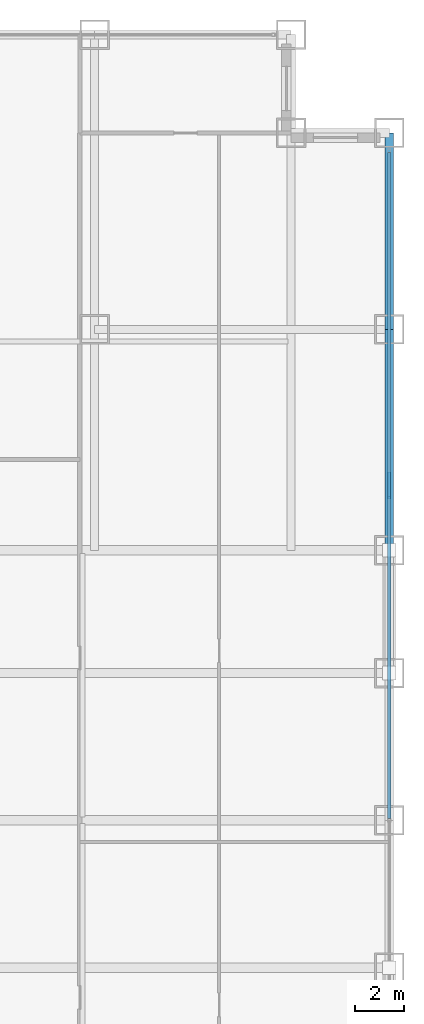
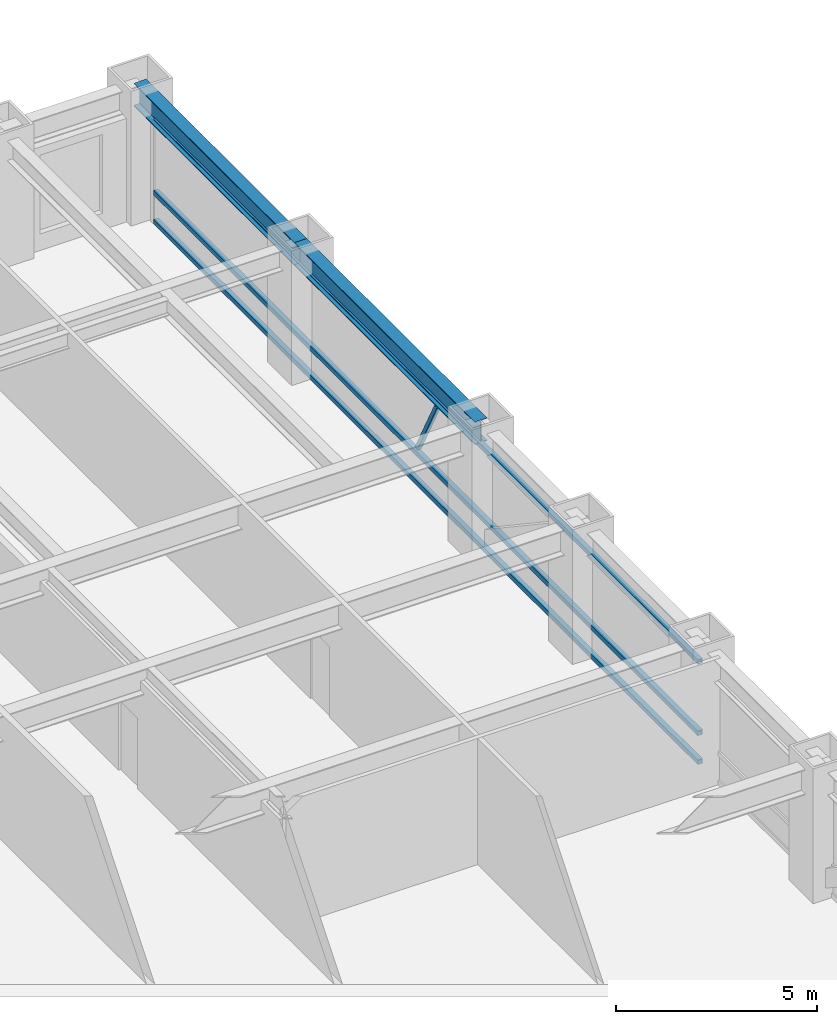
# One storey, part 15 of 28: 4 members, 2 beams, 1 element without a shape of its own.
"""IFC4 building model written with IfcOpenShell, lengths in metres."""

from ifc_helpers import new_model, si_unit, direction, frame, origin, origin_2d, place, context, subcontext, project, spatial, hollow_rectangle, i_section, extrude, source, transform, mapped, material, material_profile, profile_set, type_object, element, aggregate, save


model = new_model("IFC4")

# Units and contexts
model_context = context("Model", 3, precision=1e-05, world=origin(), true_north=direction((0.0, 1.0)))
body_context = subcontext(model_context, "Body", "Model", "MODEL_VIEW")
ifc_project = project(units=[si_unit("LENGTHUNIT", "METRE"), si_unit("AREAUNIT", "SQUARE_METRE"), si_unit("VOLUMEUNIT", "CUBIC_METRE"), si_unit("PLANEANGLEUNIT", "RADIAN"), si_unit("MASSUNIT", "GRAM", prefix="KILO")], contexts=[model_context])

# Site, building, storey
site_placement = place(None, origin())
site = spatial("IfcSite", under=ifc_project, at=site_placement, CompositionType="ELEMENT")
building_placement = place(site_placement, origin())
building = spatial("IfcBuilding", under=site, at=building_placement, Name="Khorayat Bourse Tower", CompositionType="ELEMENT")
storey_placement = place(building_placement, frame((0.0, 0.0, 116.0)))
storey = spatial("IfcBuildingStorey", under=building, at=storey_placement, Name="L26", CompositionType="ELEMENT", Elevation=116.0)

# Beams
ifc_material_1 = material(Name="Steel ASTM A992 Grade 50", Category="steel")
ifc_material_profile_1 = material_profile(ifc_material_1, i_section(OverallWidth=0.35498046875, OverallDepth=0.695068359375, WebThickness=0.015380859375, FlangeThickness=0.02490234375, FilletRadius=0.01806640625, at=origin_2d()), Name="W690X217")
ifc_profile_set_1 = profile_set([ifc_material_profile_1], Name="Steel ASTM A992 Grade 50")
beam_type = type_object("IfcBeamType", Name="BM-SPAN-690", PredefinedType="SPANDREL", material=ifc_profile_set_1)
shared_shape_1 = source(origin(), body_context, "Body", "SweptSolid", [
    extrude(i_section(OverallWidth=0.35498046875, OverallDepth=0.695068359375, WebThickness=0.015380859375, FlangeThickness=0.02490234375, FilletRadius=0.01806640625, at=origin_2d()), origin(), (0.0, 0.0, 1.0), 9.0),
])
beam_1_placement = place(storey_placement, frame((32.0, 11.0, 3.492431640625), z_axis=(0.0, 1.0, 0.0), x_axis=(-1.0, 0.0, 0.0)))
element("IfcBeam", 1, at=beam_1_placement, inside=storey, type_object=beam_type, Name="L26 BM-SPAN-690 BM-L26-SPN-040", PredefinedType="SPANDREL", context=body_context, shape_type="MappedRepresentation", body=[
    mapped(shared_shape_1, transform((0.0, 0.0, 0.0), scale=1.0)),
])
shared_shape_2 = source(origin(), body_context, "Body", "SweptSolid", [
    extrude(i_section(OverallWidth=0.35498046875, OverallDepth=0.695068359375, WebThickness=0.015380859375, FlangeThickness=0.02490234375, FilletRadius=0.01806640625, at=origin_2d()), origin(), (0.0, 0.0, 1.0), 8.0),
])
beam_2_placement = place(storey_placement, frame((32.0, 20.0, 3.492431640625), z_axis=(0.0, 1.0, 0.0), x_axis=(-1.0, 0.0, 0.0)))
element("IfcBeam", 2, at=beam_2_placement, inside=storey, type_object=beam_type, Name="L26 BM-SPAN-690 BM-L26-SPN-041", PredefinedType="SPANDREL", context=body_context, shape_type="MappedRepresentation", body=[
    mapped(shared_shape_2, transform((0.0, 0.0, 0.0), scale=1.0)),
])

# Curtain wall, members
ifc_material_2 = material(Name="Aluminium EN AW-6063 T6", Category="aluminium")
curtain_wall_type = type_object("IfcCurtainWallType", Name="CW-SYS-02", PredefinedType="NOTDEFINED", material=ifc_material_2)
curtain_wall_placement = place(storey_placement, origin())
curtain_wall = element("IfcCurtainWall", 3, at=curtain_wall_placement, inside=storey, type_object=curtain_wall_type, Name="L26 Curtain Wall CW-L26-E1", PredefinedType="NOTDEFINED")
ifc_material_profile_2 = material_profile(ifc_material_2, hollow_rectangle(XDim=0.139892578125, YDim=0.139892578125, WallThickness=0.006103515625, at=origin_2d()), Name="ALU 140x140x6")
ifc_profile_set_2 = profile_set([ifc_material_profile_2], Name="Aluminium EN AW-6063 T6")
member_type_1 = type_object("IfcMemberType", Name="CWT-HORZ-140", PredefinedType="USERDEFINED", material=ifc_profile_set_2)
shared_shape_3 = source(origin(), body_context, "Body", "SweptSolid", [
    extrude(hollow_rectangle(XDim=0.139892578125, YDim=0.139892578125, WallThickness=0.006103515625, at=origin_2d()), origin(), (0.0, 0.0, 1.0), 27.139892578125),
])
member_1_placement = place(storey_placement, frame((32.0, 0.070068359375, 0.070068359375), z_axis=(0.0, 1.0, 0.0), x_axis=(-1.0, 0.0, 0.0)))
member_1 = element("IfcMember", 4, at=member_1_placement, type_object=member_type_1, Name="CW-L26-E1 Horizontal Transom 2-1", ObjectType="TRANSOM", PredefinedType="USERDEFINED", context=body_context, shape_type="MappedRepresentation", body=[
    mapped(shared_shape_3, transform((0.0, 0.0, 0.0), scale=1.0)),
])
member_2_placement = place(storey_placement, frame((32.0, 0.070068359375, 0.949951171875), z_axis=(0.0, 1.0, 0.0), x_axis=(-1.0, 0.0, 0.0)))
member_2 = element("IfcMember", 5, at=member_2_placement, type_object=member_type_1, Name="CW-L26-E1 Horizontal Transom 2-2", ObjectType="TRANSOM", PredefinedType="USERDEFINED", context=body_context, shape_type="MappedRepresentation", body=[
    mapped(shared_shape_3, transform((0.0, 0.0, 0.0), scale=1.0)),
])
member_3_placement = place(storey_placement, frame((32.0, 0.070068359375, 3.1201171875), z_axis=(0.0, 1.0, 0.0), x_axis=(-1.0, 0.0, 0.0)))
member_3 = element("IfcMember", 6, at=member_3_placement, type_object=member_type_1, Name="CW-L26-E1 Horizontal Transom 2-3", ObjectType="TRANSOM", PredefinedType="USERDEFINED", context=body_context, shape_type="MappedRepresentation", body=[
    mapped(shared_shape_3, transform((0.0, 0.0, 0.0), scale=1.0)),
])
ifc_material_profile_3 = material_profile(ifc_material_2, hollow_rectangle(XDim=0.1201171875, YDim=0.1201171875, WallThickness=0.0048828125, at=origin_2d()), Name="ALU 120x120x5")
ifc_profile_set_3 = profile_set([ifc_material_profile_3], Name="Aluminium EN AW-6063 T6")
member_type_2 = type_object("IfcMemberType", Name="CWM-DIAG-120", PredefinedType="MULLION", material=ifc_profile_set_3)
shared_shape_4 = source(origin(), body_context, "Body", "SweptSolid", [
    extrude(hollow_rectangle(XDim=0.1201171875, YDim=0.1201171875, WallThickness=0.0048828125, at=origin_2d()), origin(), (0.0, 0.0, 1.0), 2.113037109375),
])
member_4_placement = place(storey_placement, frame((32.0, 14.132080078125, 1.10009765625), z_axis=(0.0, -0.465741670874, 0.884920728659), x_axis=(1.0, 0.0, 0.0)))
member_4 = element("IfcMember", 7, at=member_4_placement, type_object=member_type_2, Name="CW-L26-E1 Faceted Diagonal Mullion 2", PredefinedType="MULLION", context=body_context, shape_type="MappedRepresentation", body=[
    mapped(shared_shape_4, transform((0.0, 0.0, 0.0), scale=1.0)),
])
aggregate(curtain_wall, [member_1, member_2, member_3, member_4])

save(model, "model.ifc")
